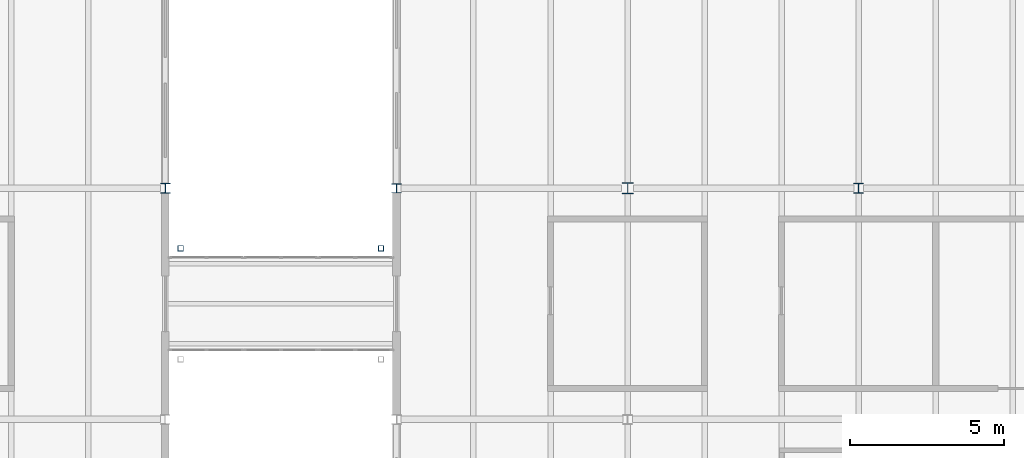
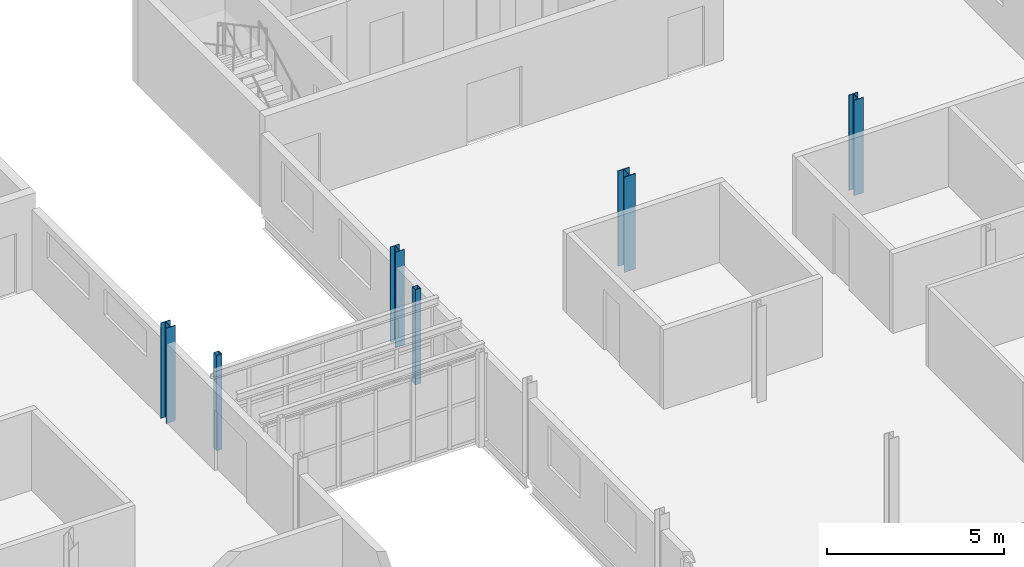
# One storey, part 23 of 214: 6 columns.
"""IFC4 building model written with IfcOpenShell, lengths in metres."""

from ifc_helpers import new_model, si_unit, direction, frame, origin, origin_2d, place, context, subcontext, project, spatial, hollow_rectangle, i_section, extrude, material, material_profile, profile_set, type_object, element, save


model = new_model("IFC4")

# Units and contexts
model_context = context("Model", 3, precision=1e-05, world=origin(), true_north=direction((0.0, 1.0)))
body_context = subcontext(model_context, "Body", "Model", "MODEL_VIEW")
ifc_project = project(units=[si_unit("LENGTHUNIT", "METRE"), si_unit("AREAUNIT", "SQUARE_METRE"), si_unit("VOLUMEUNIT", "CUBIC_METRE"), si_unit("PLANEANGLEUNIT", "RADIAN"), si_unit("MASSUNIT", "GRAM", prefix="KILO")], contexts=[model_context])

# Site, building, storey
site_placement = place(None, origin())
site = spatial("IfcSite", under=ifc_project, at=site_placement, CompositionType="ELEMENT")
building_placement = place(site_placement, origin())
building = spatial("IfcBuilding", under=site, at=building_placement, Name="Parallax Yard Mobility Hub", CompositionType="ELEMENT")
storey_placement = place(building_placement, frame((0.0, 0.0, 3.300048828125)))
storey = spatial("IfcBuildingStorey", under=building, at=storey_placement, Name="L01", CompositionType="ELEMENT", Elevation=3.300048828125)

# Columns
ifc_material_1 = material(Name="Steel ASTM A500 Gr C", Category="steel")
ifc_material_profile_1 = material_profile(ifc_material_1, hollow_rectangle(XDim=0.177734375, YDim=0.177734375, WallThickness=0.009521484375, at=origin_2d()), Name="HSS178x178x9.5")
ifc_profile_set_1 = profile_set([ifc_material_profile_1], Name="Steel ASTM A500 Gr C")
column_type_1 = type_object("IfcColumnType", Name="Roof column HSS178x178x9.5", PredefinedType="COLUMN", material=ifc_profile_set_1)
for number, where, z_axis, x_axis, name in (
    (1, (143.0, 35.550048828125, 0.0), (0.0, 0.0, 1.0), (1.0, 0.0, 0.0), "Bridge BR3 level L02 roof pier 1 at y 35.55 level L01"),
    (2, (149.5, 35.550048828125, 0.0), (0.0, 0.0, 1.0), (1.0, 0.0, 0.0), "Bridge BR3 level L02 roof pier 2 at y 35.55 level L01"),
):
    element("IfcColumn", number, at=place(storey_placement, frame(where, z_axis=z_axis, x_axis=x_axis)), inside=storey, type_object=column_type_1, Name=name, PredefinedType="COLUMN", context=body_context, shape_type="SweptSolid", body=[
        extrude(hollow_rectangle(XDim=0.177734375, YDim=0.177734375, WallThickness=0.009521484375, at=origin_2d()), origin(), (0.0, 0.0, 1.0), 3.300048828125),
    ])
ifc_material_2 = material(Name="Steel ASTM A992", Category="steel")
ifc_material_profile_2 = material_profile(ifc_material_2, i_section(OverallWidth=0.306884765625, OverallDepth=0.318115234375, WebThickness=0.01318359375, FlangeThickness=0.0205078125, FilletRadius=0.01513671875, at=origin_2d()), Name="W310x129")
ifc_profile_set_2 = profile_set([ifc_material_profile_2], Name="Steel ASTM A992")
column_type_2 = type_object("IfcColumnType", Name="W310x129 column", PredefinedType="COLUMN", material=ifc_profile_set_2)
for number, where, z_axis, x_axis, name in (
    (3, (165.0, 37.5, 0.0), (0.0, 0.0, 1.0), (1.0, 0.0, 0.0), "Column C3 level L01 at F/23 of bicycle and shared-mobility hall"),
    (4, (142.5, 37.5, 0.0), (0.0, 0.0, 1.0), (1.0, 0.0, 0.0), "Column C3 level L01 at F/20 of mobility service centre and workshops"),
):
    element("IfcColumn", number, at=place(storey_placement, frame(where, z_axis=z_axis, x_axis=x_axis)), inside=storey, type_object=column_type_2, Name=name, PredefinedType="COLUMN", context=body_context, shape_type="SweptSolid", body=[
        extrude(i_section(OverallWidth=0.306884765625, OverallDepth=0.318115234375, WebThickness=0.01318359375, FlangeThickness=0.0205078125, FilletRadius=0.01513671875, at=origin_2d()), origin(), (0.0, 0.0, 1.0), 3.300048828125),
    ])
ifc_material_profile_3 = material_profile(ifc_material_2, i_section(OverallWidth=0.304931640625, OverallDepth=0.306884765625, WebThickness=0.010009765625, FlangeThickness=0.015380859375, FilletRadius=0.01513671875, at=origin_2d()), Name="W310x97")
ifc_profile_set_3 = profile_set([ifc_material_profile_3], Name="Steel ASTM A992")
column_type_3 = type_object("IfcColumnType", Name="W310x97 column", PredefinedType="COLUMN", material=ifc_profile_set_3)
column_1_placement = place(storey_placement, frame((150.0, 37.5, 0.0), z_axis=(0.0, 0.0, 1.0), x_axis=(1.0, 0.0, 0.0)))
element("IfcColumn", 5, at=column_1_placement, inside=storey, type_object=column_type_3, Name="Column C1 level L01 at F/21 of bicycle and shared-mobility hall", PredefinedType="COLUMN", context=body_context, shape_type="SweptSolid", body=[
    extrude(i_section(OverallWidth=0.304931640625, OverallDepth=0.306884765625, WebThickness=0.010009765625, FlangeThickness=0.015380859375, FilletRadius=0.01513671875, at=origin_2d()), origin(), (0.0, 0.0, 1.0), 3.300048828125),
])
ifc_material_profile_4 = material_profile(ifc_material_2, i_section(OverallWidth=0.373046875, OverallDepth=0.373046875, WebThickness=0.016357421875, FlangeThickness=0.026123046875, FilletRadius=0.01513671875, at=origin_2d()), Name="W360x196")
ifc_profile_set_4 = profile_set([ifc_material_profile_4], Name="Steel ASTM A992")
column_type_4 = type_object("IfcColumnType", Name="W360x196 column", PredefinedType="COLUMN", material=ifc_profile_set_4)
column_2_placement = place(storey_placement, frame((157.5, 37.5, 0.0), z_axis=(0.0, 0.0, 1.0), x_axis=(1.0, 0.0, 0.0)))
element("IfcColumn", 6, at=column_2_placement, inside=storey, type_object=column_type_4, Name="Column C8 level L01 at F/22 of bicycle and shared-mobility hall", PredefinedType="COLUMN", context=body_context, shape_type="SweptSolid", body=[
    extrude(i_section(OverallWidth=0.373046875, OverallDepth=0.373046875, WebThickness=0.016357421875, FlangeThickness=0.026123046875, FilletRadius=0.01513671875, at=origin_2d()), origin(), (0.0, 0.0, 1.0), 3.300048828125),
])

save(model, "model.ifc")
